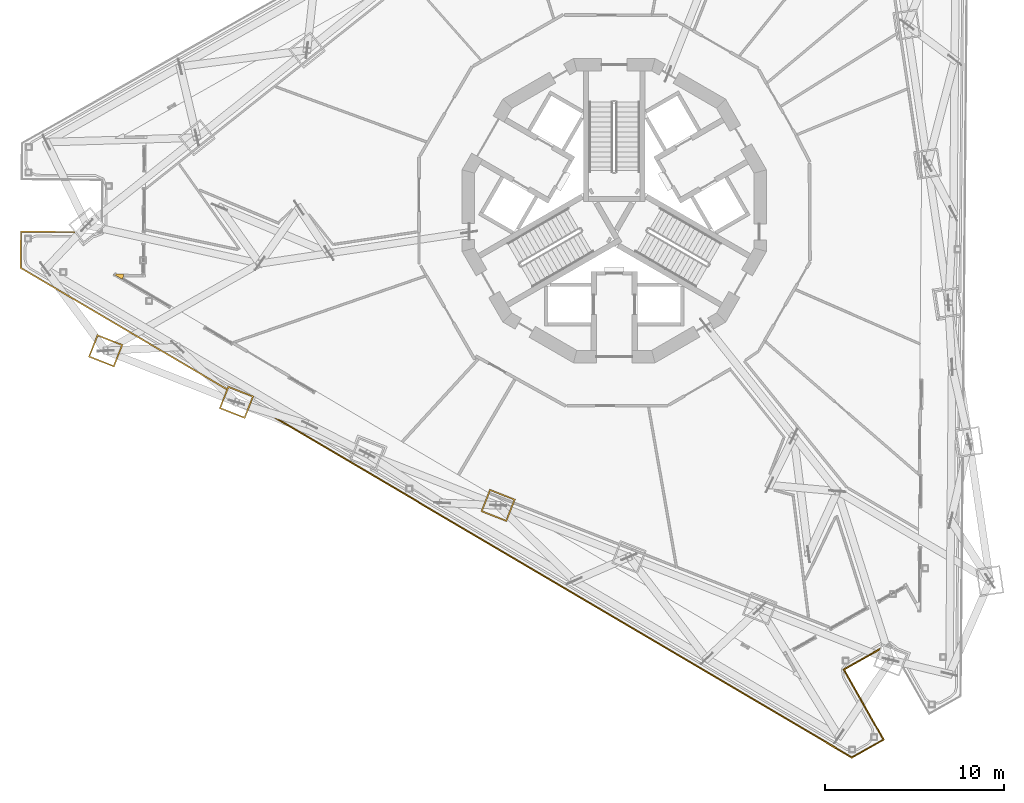
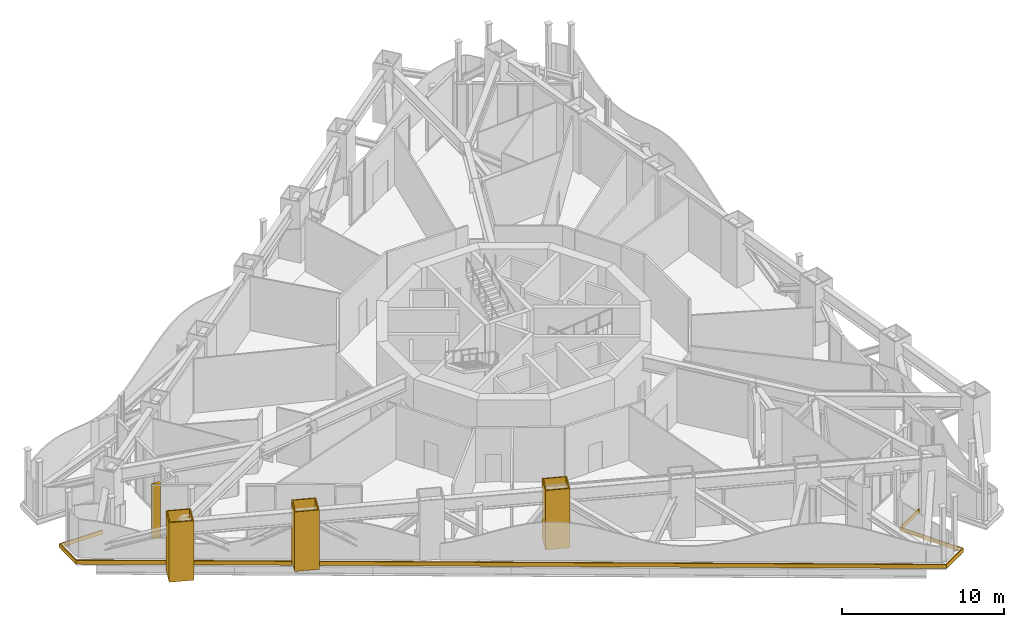
# One storey, part 19 of 27: 6 coverings.
"""IFC4 building model written with IfcOpenShell, lengths in metres."""

from ifc_helpers import new_model, si_unit, direction, frame, origin, place, context, subcontext, project, spatial, polyline, outline, extrude, material, layer, layer_set, type_object, element, save


model = new_model("IFC4")

# Units and contexts
model_context = context("Model", 3, precision=1e-05, world=origin(), true_north=direction((0.0, 1.0)))
body_context = subcontext(model_context, "Body", "Model", "MODEL_VIEW")
ifc_project = project(units=[si_unit("LENGTHUNIT", "METRE"), si_unit("AREAUNIT", "SQUARE_METRE"), si_unit("VOLUMEUNIT", "CUBIC_METRE"), si_unit("PLANEANGLEUNIT", "RADIAN"), si_unit("MASSUNIT", "GRAM", prefix="KILO")], contexts=[model_context])

# Site, building, storey
site_placement = place(None, origin())
site = spatial("IfcSite", under=ifc_project, at=site_placement, CompositionType="ELEMENT")
building_placement = place(site_placement, origin())
building = spatial("IfcBuilding", under=site, at=building_placement, Name="Trine Commons Tower", CompositionType="ELEMENT")
storey_placement = place(building_placement, frame((0.0, 0.0, 193.5)))
storey = spatial("IfcBuildingStorey", under=building, at=storey_placement, Name="L50", CompositionType="ELEMENT", Elevation=193.5)

# Coverings
ifc_material_1 = material(Name="Aluminium-framed insulated wall panel", Category="aluminium")
ifc_layer_1 = layer(ifc_material_1, 0.14990234375)
ifc_layer_set_1 = layer_set([ifc_layer_1], Name="Aluminium-framed insulated wall panel")
covering_type_1 = type_object("IfcCoveringType", Name="Glazing corner post, aluminium", PredefinedType="CLADDING", material=ifc_layer_set_1)
covering_1_placement = place(storey_placement, origin())
element("IfcCovering", 1, at=covering_1_placement, inside=storey, type_object=covering_type_1, Name="Glazing corner post 5-01", PredefinedType="CLADDING", context=body_context, shape_type="SweptSolid", body=[
    extrude(outline(polyline([(52.519775390625, 58.669921875), (52.595947265625, 58.799072265625), (52.59716796875, 58.948974609375), (52.037353515625, 58.953857421875), (52.519775390625, 58.669921875)])), origin(), (0.0, 0.0, 1.0), 4.14990234375),
])
ifc_material_2 = material(Name="Limestone, honed", Category="masonry")
ifc_layer_2 = layer(ifc_material_2, 0.074951171875)
ifc_layer_set_2 = layer_set([ifc_layer_2], Name="Limestone, honed")
covering_type_2 = type_object("IfcCoveringType", Name="Limestone column cladding 75", PredefinedType="CLADDING", material=ifc_layer_set_2)
covering_2_placement = place(storey_placement, origin())
element("IfcCovering", 2, at=covering_2_placement, inside=storey, type_object=covering_type_2, Name="Limestone pier cladding 6-04", PredefinedType="CLADDING", context=body_context, shape_type="SweptSolid", body=[
    extrude(outline(polyline([(73.042724609375, 46.95263671875), (72.5478515625, 45.696533203125), (73.989990234375, 45.12841796875), (74.48486328125, 46.384521484375), (73.042724609375, 46.95263671875)]), holes=[polyline([(73.0849609375, 46.855224609375), (72.645263671875, 45.73876953125), (73.94775390625, 45.2255859375), (74.3876953125, 46.34228515625), (73.0849609375, 46.855224609375)])]), origin(), (0.0, 0.0, 1.0), 4.5),
])
covering_3_placement = place(storey_placement, origin())
element("IfcCovering", 3, at=covering_3_placement, inside=storey, type_object=covering_type_2, Name="Limestone pier cladding 6-06", PredefinedType="CLADDING", context=body_context, shape_type="SweptSolid", body=[
    extrude(outline(polyline([(58.43408203125, 52.70703125), (57.939208984375, 51.450927734375), (59.381591796875, 50.8828125), (59.876220703125, 52.138916015625), (58.43408203125, 52.70703125)]), holes=[polyline([(58.476318359375, 52.60986328125), (58.03662109375, 51.493408203125), (59.339111328125, 50.980224609375), (59.779052734375, 52.0966796875), (58.476318359375, 52.60986328125)])]), origin(), (0.0, 0.0, 1.0), 4.5),
])
covering_4_placement = place(storey_placement, origin())
element("IfcCovering", 4, at=covering_4_placement, inside=storey, type_object=covering_type_2, Name="Limestone pier cladding 6-07", PredefinedType="CLADDING", context=body_context, shape_type="SweptSolid", body=[
    extrude(outline(polyline([(51.129638671875, 55.58447265625), (50.635009765625, 54.328369140625), (52.0771484375, 53.76025390625), (52.572021484375, 55.016357421875), (51.129638671875, 55.58447265625)]), holes=[polyline([(51.172119140625, 55.487060546875), (50.732177734375, 54.37060546875), (52.034912109375, 53.857421875), (52.474609375, 54.97412109375), (51.172119140625, 55.487060546875)])]), origin(), (0.0, 0.0, 1.0), 4.5),
])
ifc_layer_3 = layer(ifc_material_2, 0.074951171875)
ifc_layer_set_3 = layer_set([ifc_layer_3], Name="Limestone, honed")
covering_type_3 = type_object("IfcCoveringType", Name="Limestone spandrel panel 75", PredefinedType="CLADDING", material=ifc_layer_set_3)
covering_5_placement = place(storey_placement, frame((0.0, 0.0, -0.300048828125)))
element("IfcCovering", 5, at=covering_5_placement, inside=storey, type_object=covering_type_3, Name="Limestone spandrel panel 5-02", PredefinedType="CLADDING", context=body_context, shape_type="SweptSolid", body=[
    extrude(outline(polyline([(46.820556640625, 59.281982421875), (58.34912109375, 52.4912109375), (58.376953125, 52.56201171875), (46.89599609375, 59.32470703125), (46.9130859375, 61.288818359375), (49.89990234375, 61.2626953125), (49.83984375, 61.338134765625), (46.8388671875, 61.3642578125), (46.820556640625, 59.281982421875)])), origin(), (0.0, 0.0, 1.0), 0.300048828125),
])
covering_6_placement = place(storey_placement, frame((0.0, 0.0, -0.300048828125)))
element("IfcCovering", 6, at=covering_6_placement, inside=storey, type_object=covering_type_3, Name="Limestone spandrel panel 5-03", PredefinedType="CLADDING", context=body_context, shape_type="SweptSolid", body=[
    extrude(outline(polyline([(92.86767578125, 36.862548828125), (94.8154296875, 37.964599609375), (94.85888671875, 38.075439453125), (92.765380859375, 36.890869140625), (94.9814453125, 32.974365234375), (93.27197265625, 32.007080078125), (59.72900390625, 51.765380859375), (59.701416015625, 51.694580078125), (93.271240234375, 31.92041015625), (95.08349609375, 32.94580078125), (92.86767578125, 36.862548828125)])), origin(), (0.0, 0.0, 1.0), 0.300048828125),
])

save(model, "model.ifc")
